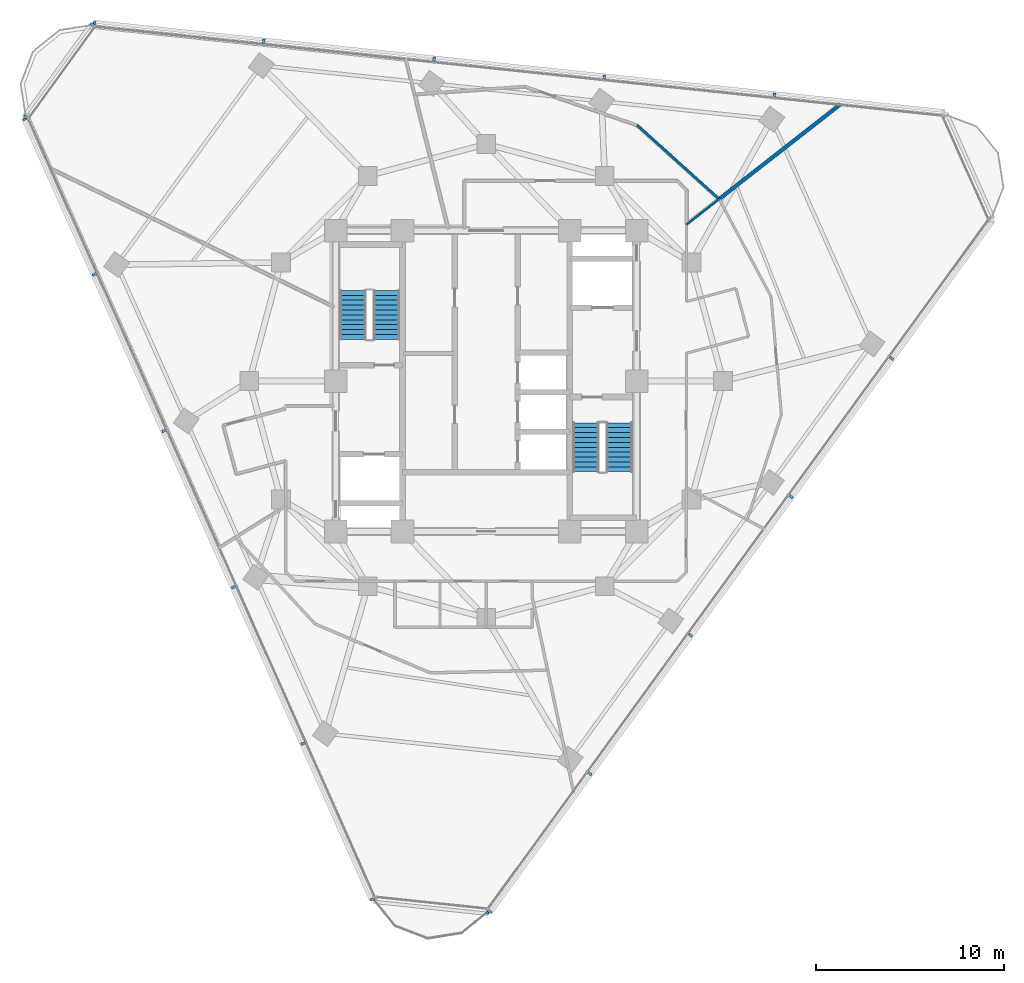
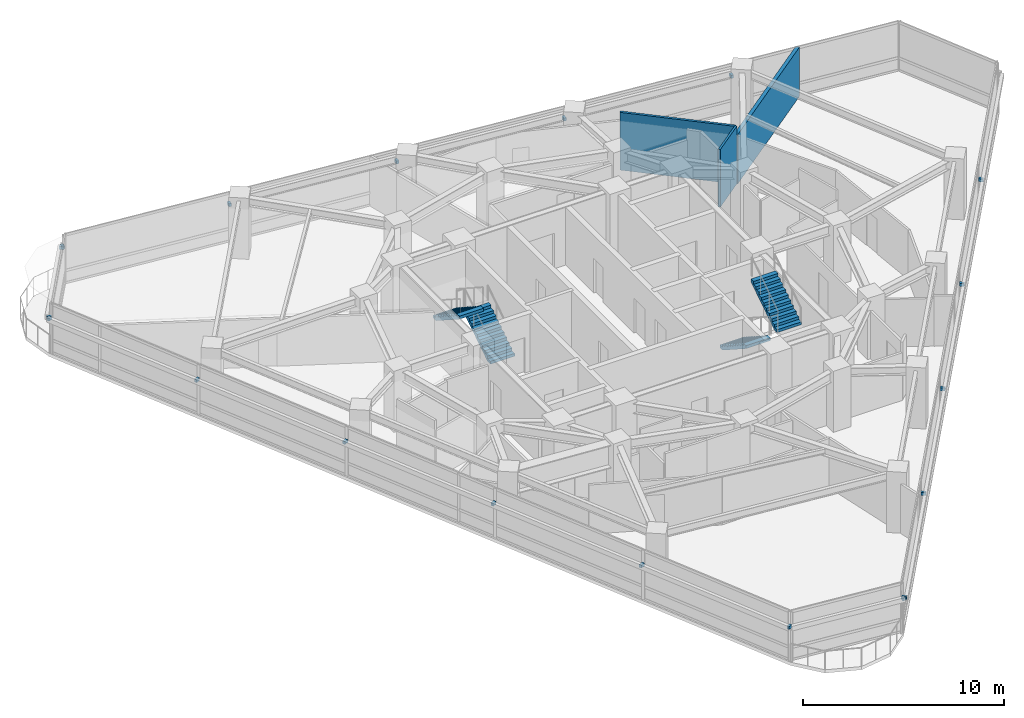
# One storey, part 10 of 14: 19 discrete accessories, 4 stair flights, 3 walls, 2 elements without a shape of their own.
"""IFC4 building model written with IfcOpenShell, lengths in metres."""

from ifc_helpers import new_model, si_unit, direction, frame, frame_2d, origin, origin_2d, place, context, subcontext, project, spatial, polyline, rectangle, outline, extrude, material, layer, layer_set, type_object, element, aggregate, save


model = new_model("IFC4")

# Units and contexts
model_context = context("Model", 3, precision=1e-05, world=origin(), true_north=direction((0.0, 1.0)))
body_context = subcontext(model_context, "Body", "Model", "MODEL_VIEW")
ifc_project = project(units=[si_unit("LENGTHUNIT", "METRE"), si_unit("AREAUNIT", "SQUARE_METRE"), si_unit("VOLUMEUNIT", "CUBIC_METRE"), si_unit("PLANEANGLEUNIT", "RADIAN"), si_unit("MASSUNIT", "GRAM", prefix="KILO")], contexts=[model_context])

# Site, building, storey
site_placement = place(None, origin())
site = spatial("IfcSite", under=ifc_project, at=site_placement, CompositionType="ELEMENT")
building_placement = place(site_placement, origin())
building = spatial("IfcBuilding", under=site, at=building_placement, Name="Terralouvre Media Tower", CompositionType="ELEMENT")
storey_placement = place(building_placement, frame((0.0, 0.0, 222.60009765625)))
storey = spatial("IfcBuildingStorey", under=building, at=storey_placement, Name="L57", CompositionType="ELEMENT", Elevation=222.60009765625)

# Walls
ifc_material_1 = material(Name="Fire-rated gypsum board drywall partition")
ifc_layer_1 = layer(ifc_material_1, 0.199951171875, Name="Fire-Rated Shaft and Lobby Partition FW-200")
ifc_layer_set_1 = layer_set([ifc_layer_1], Name="Fire-rated gypsum board drywall partition")
wall_type_1 = type_object("IfcWallType", Name="Fire-Rated Shaft and Lobby Partition FW-200", PredefinedType="SOLIDWALL", material=ifc_layer_set_1)
wall_1_placement = place(storey_placement, frame((18.836181640625, 14.71630859375, 0.0), z_axis=(0.0, 0.0, 1.0), x_axis=(-0.78799903942, -0.615676468507, 0.0)))
element("IfcWall", 1, at=wall_1_placement, inside=storey, type_object=wall_type_1, Name="L57 Interior Partition 046", PredefinedType="SOLIDWALL", context=body_context, shape_type="SweptSolid", body=[
    extrude(rectangle(XDim=8.181884765625, YDim=0.199951171875, at=frame_2d((4.0908203125, 0.0))), origin(), (0.0, 0.0, 1.0), 2.98486328125),
])
ifc_material_2 = material(Name="Fire-rated gypsum board drywall partition")
ifc_layer_2 = layer(ifc_material_2, 0.135009765625, Name="Newsroom Acoustic Partition PT-135")
ifc_layer_set_2 = layer_set([ifc_layer_2], Name="Fire-rated gypsum board drywall partition")
wall_type_2 = type_object("IfcWallType", Name="Newsroom Acoustic Partition PT-135", PredefinedType="PARTITIONING", material=ifc_layer_set_2)
wall_2_placement = place(storey_placement, frame((8.01904296875, 13.614013671875, 0.0), z_axis=(0.0, 0.0, 1.0), x_axis=(0.743110388877, -0.669168850099, 0.0)))
element("IfcWall", 2, at=wall_2_placement, inside=storey, type_object=wall_type_2, Name="L57 Interior Partition 049", PredefinedType="PARTITIONING", context=body_context, shape_type="SweptSolid", body=[
    extrude(rectangle(XDim=5.880615234375, YDim=0.135009765625, at=frame_2d((2.9404296875, 0.0))), origin(), (0.0, 0.0, 1.0), 3.5),
])
ifc_material_3 = material(Name="Fire-rated gypsum board drywall partition")
ifc_layer_3 = layer(ifc_material_3, 0.114990234375, Name="Restroom and Pantry Partition PT-115")
ifc_layer_set_3 = layer_set([ifc_layer_3], Name="Fire-rated gypsum board drywall partition")
wall_type_3 = type_object("IfcWallType", Name="Restroom and Pantry Partition PT-115", PredefinedType="PARTITIONING", material=ifc_layer_set_3)
wall_3_placement = place(storey_placement, frame((12.388916015625, 9.678955078125, 0.0), z_axis=(0.0, 0.0, 1.0), x_axis=(-0.788177008199, -0.615448619908, 0.0)))
element("IfcWall", 3, at=wall_3_placement, inside=storey, type_object=wall_type_3, Name="L57 Interior Partition 031", PredefinedType="PARTITIONING", context=body_context, shape_type="SweptSolid", body=[
    extrude(rectangle(XDim=2.206298828125, YDim=0.114990234375, at=frame_2d((1.10302734375, 0.0))), origin(), (0.0, 0.0, 1.0), 3.5),
])

# Stair, stair flights
ifc_material_4 = material(Name="Concrete C45/55", Category="concrete")
stair_type_1 = type_object("IfcStairType", Name="Dogleg Stair Assembly ST-01", PredefinedType="HALF_TURN_STAIR", material=ifc_material_4)
stair_1_placement = place(storey_placement, origin())
stair_1 = element("IfcStair", 4, at=stair_1_placement, inside=storey, type_object=stair_type_1, Name="L57 Core Pressurised Exit Stair ST-01", PredefinedType="HALF_TURN_STAIR")
ifc_material_5 = material(Name="Concrete C45/55", Category="concrete")
stair_flight_type = type_object("IfcStairFlightType", Name="Reinforced Concrete Stair Flight SF-RC1", PredefinedType="STRAIGHT", material=ifc_material_5)
stair_flight_1_placement = place(storey_placement, frame((-5.300048828125, 2.219970703125, 0.0), z_axis=(0.0, 0.0, 1.0), x_axis=(0.0, 1.0, 0.0)))
stair_flight_1 = element("IfcStairFlight", 5, at=stair_flight_1_placement, type_object=stair_flight_type, Name="ST-01 flight 1", NumberOfRisers=11, NumberOfTreads=10, PredefinedType="STRAIGHT", RiserHeight=0.168181818, TreadLength=0.26, context=body_context, shape_type="SweptSolid", body=[
    extrude(outline(polyline([(0.0, 0.0), (0.0, 0.168212890625), (0.260009765625, 0.168212890625), (0.260009765625, 0.33642578125), (0.52001953125, 0.33642578125), (0.52001953125, 0.504638671875), (0.780029296875, 0.504638671875), (0.780029296875, 0.672607421875), (1.0400390625, 0.672607421875), (1.0400390625, 0.8408203125), (1.300048828125, 0.8408203125), (1.300048828125, 1.009033203125), (1.56005859375, 1.009033203125), (1.56005859375, 1.17724609375), (1.820068359375, 1.17724609375), (1.820068359375, 1.345458984375), (2.080078125, 1.345458984375), (2.080078125, 1.513671875), (2.340087890625, 1.513671875), (2.340087890625, 1.681884765625), (2.60009765625, 1.681884765625), (2.60009765625, 1.85009765625), (2.60009765625, 1.503173828125), (0.27587890625, 0.0), (0.0, 0.0)])), frame((0.0, 0.699951171875, 0.0), z_axis=(0.0, -1.0, 0.0), x_axis=(1.0, 0.0, 0.0)), (0.0, 0.0, 1.0), 1.39990234375),
])
stair_flight_2_placement = place(storey_placement, frame((-7.080078125, 4.820068359375, 1.849853515625), z_axis=(0.0, 0.0, 1.0), x_axis=(0.0, -1.0, 0.0)))
stair_flight_2 = element("IfcStairFlight", 6, at=stair_flight_2_placement, type_object=stair_flight_type, Name="ST-01 flight 2", NumberOfRisers=11, NumberOfTreads=10, PredefinedType="STRAIGHT", RiserHeight=0.168181818, TreadLength=0.26, context=body_context, shape_type="SweptSolid", body=[
    extrude(outline(polyline([(0.0, 0.0), (0.0, 0.168212890625), (0.260009765625, 0.168212890625), (0.260009765625, 0.33642578125), (0.52001953125, 0.33642578125), (0.52001953125, 0.504638671875), (0.780029296875, 0.504638671875), (0.780029296875, 0.672607421875), (1.0400390625, 0.672607421875), (1.0400390625, 0.8408203125), (1.300048828125, 0.8408203125), (1.300048828125, 1.009033203125), (1.56005859375, 1.009033203125), (1.56005859375, 1.17724609375), (1.820068359375, 1.17724609375), (1.820068359375, 1.345458984375), (2.080078125, 1.345458984375), (2.080078125, 1.513671875), (2.340087890625, 1.513671875), (2.340087890625, 1.681884765625), (2.60009765625, 1.681884765625), (2.60009765625, 1.85009765625), (2.60009765625, 1.503173828125), (0.27587890625, 0.0), (0.0, 0.0)])), frame((0.0, 0.699951171875, 0.0), z_axis=(0.0, -1.0, 0.0), x_axis=(1.0, 0.0, 0.0)), (0.0, 0.0, 1.0), 1.39990234375),
])
aggregate(stair_1, [stair_flight_1, stair_flight_2])

ifc_material_6 = material(Name="Concrete C45/55", Category="concrete")
stair_type_2 = type_object("IfcStairType", Name="Dogleg Stair Assembly ST-02", PredefinedType="HALF_TURN_STAIR", material=ifc_material_6)
stair_2_placement = place(storey_placement, origin())
stair_2 = element("IfcStair", 7, at=stair_2_placement, inside=storey, type_object=stair_type_2, Name="L57 Core Pressurised Exit Stair ST-02", PredefinedType="HALF_TURN_STAIR")
stair_flight_3_placement = place(storey_placement, frame((5.300048828125, -2.219970703125, 0.0), z_axis=(0.0, 0.0, 1.0), x_axis=(0.0, -1.0, 0.0)))
stair_flight_3 = element("IfcStairFlight", 8, at=stair_flight_3_placement, type_object=stair_flight_type, Name="ST-02 flight 1", NumberOfRisers=11, NumberOfTreads=10, PredefinedType="STRAIGHT", RiserHeight=0.168181818, TreadLength=0.26, context=body_context, shape_type="SweptSolid", body=[
    extrude(outline(polyline([(0.0, 0.0), (0.0, 0.168212890625), (0.260009765625, 0.168212890625), (0.260009765625, 0.33642578125), (0.52001953125, 0.33642578125), (0.52001953125, 0.504638671875), (0.780029296875, 0.504638671875), (0.780029296875, 0.672607421875), (1.0400390625, 0.672607421875), (1.0400390625, 0.8408203125), (1.300048828125, 0.8408203125), (1.300048828125, 1.009033203125), (1.56005859375, 1.009033203125), (1.56005859375, 1.17724609375), (1.820068359375, 1.17724609375), (1.820068359375, 1.345458984375), (2.080078125, 1.345458984375), (2.080078125, 1.513671875), (2.340087890625, 1.513671875), (2.340087890625, 1.681884765625), (2.60009765625, 1.681884765625), (2.60009765625, 1.85009765625), (2.60009765625, 1.503173828125), (0.27587890625, 0.0), (0.0, 0.0)])), frame((0.0, 0.699951171875, 0.0), z_axis=(0.0, -1.0, 0.0), x_axis=(1.0, 0.0, 0.0)), (0.0, 0.0, 1.0), 1.39990234375),
])
stair_flight_4_placement = place(storey_placement, frame((7.080078125, -4.820068359375, 1.849853515625), z_axis=(0.0, 0.0, 1.0), x_axis=(0.0, 1.0, 0.0)))
stair_flight_4 = element("IfcStairFlight", 9, at=stair_flight_4_placement, type_object=stair_flight_type, Name="ST-02 flight 2", NumberOfRisers=11, NumberOfTreads=10, PredefinedType="STRAIGHT", RiserHeight=0.168181818, TreadLength=0.26, context=body_context, shape_type="SweptSolid", body=[
    extrude(outline(polyline([(0.0, 0.0), (0.0, 0.168212890625), (0.260009765625, 0.168212890625), (0.260009765625, 0.33642578125), (0.52001953125, 0.33642578125), (0.52001953125, 0.504638671875), (0.780029296875, 0.504638671875), (0.780029296875, 0.672607421875), (1.0400390625, 0.672607421875), (1.0400390625, 0.8408203125), (1.300048828125, 0.8408203125), (1.300048828125, 1.009033203125), (1.56005859375, 1.009033203125), (1.56005859375, 1.17724609375), (1.820068359375, 1.17724609375), (1.820068359375, 1.345458984375), (2.080078125, 1.345458984375), (2.080078125, 1.513671875), (2.340087890625, 1.513671875), (2.340087890625, 1.681884765625), (2.60009765625, 1.681884765625), (2.60009765625, 1.85009765625), (2.60009765625, 1.503173828125), (0.27587890625, 0.0), (0.0, 0.0)])), frame((0.0, 0.699951171875, 0.0), z_axis=(0.0, -1.0, 0.0), x_axis=(1.0, 0.0, 0.0)), (0.0, 0.0, 1.0), 1.39990234375),
])
aggregate(stair_2, [stair_flight_3, stair_flight_4])

# Discrete accessories
ifc_material_7 = material(Name="Anodised extruded aluminium 6063-T6", Category="aluminium")
discrete_accessory_type = type_object("IfcDiscreteAccessoryType", Name="Mullion Stand-Off Baguette Fixing Bracket BK-01", PredefinedType="BRACKET", material=ifc_material_7)
for number, where, z_axis, x_axis, name in (
    (10, (0.180419921875, -28.205322265625, 2.07373046875), (0.0, 0.0, 1.0), (0.587785300879, 0.809016959074, 0.0), "CW-L57-F0 Baguette Outrigger Bracket 1.01"),
    (11, (5.50732421875, -20.87353515625, 2.07373046875), (0.0, 0.0, 1.0), (0.587785300879, 0.809016959074, 0.0), "CW-L57-F0 Baguette Outrigger Bracket 1.02"),
    (12, (10.856201171875, -13.511474609375, 2.07373046875), (0.0, 0.0, 1.0), (0.587785300879, 0.809016959074, 0.0), "CW-L57-F0 Baguette Outrigger Bracket 1.03"),
    (13, (16.205078125, -6.1494140625, 2.07373046875), (0.0, 0.0, 1.0), (0.587785300879, 0.809016959074, 0.0), "CW-L57-F0 Baguette Outrigger Bracket 1.04"),
    (14, (21.553955078125, 1.212646484375, 2.07373046875), (0.0, 0.0, 1.0), (0.587785300879, 0.809016959074, 0.0), "CW-L57-F0 Baguette Outrigger Bracket 1.05"),
    (15, (15.323486328125, 15.206298828125, 2.07373046875), (0.0, 0.0, 1.0), (-0.994521885028, 0.104528561651, 0.0), "CW-L57-F1 Baguette Outrigger Bracket 1.02"),
    (16, (6.273193359375, 16.157470703125, 2.07373046875), (0.0, 0.0, 1.0), (-0.994521885028, 0.104528561651, 0.0), "CW-L57-F1 Baguette Outrigger Bracket 1.03"),
    (17, (-2.77685546875, 17.108642578125, 2.07373046875), (0.0, 0.0, 1.0), (-0.994521885028, 0.104528561651, 0.0), "CW-L57-F1 Baguette Outrigger Bracket 1.04"),
    (18, (-11.826904296875, 18.059814453125, 2.07373046875), (0.0, 0.0, 1.0), (-0.994521885028, 0.104528561651, 0.0), "CW-L57-F1 Baguette Outrigger Bracket 1.05"),
    (19, (-20.83984375, 19.007080078125, 2.07373046875), (0.0, 0.0, 1.0), (-0.994521885028, 0.104528561651, 0.0), "CW-L57-F1 Baguette Outrigger Bracket 1.06"),
    (20, (-24.516845703125, 13.9462890625, 2.07373046875), (0.0, 0.0, 1.0), (0.406736679636, -0.913545441365, 0.0), "CW-L57-F2 Baguette Outrigger Bracket 1.01"),
    (21, (-20.830810546875, 5.667236328125, 2.07373046875), (0.0, 0.0, 1.0), (0.406736679636, -0.913545441365, 0.0), "CW-L57-F2 Baguette Outrigger Bracket 1.02"),
    (22, (-17.12939453125, -2.64599609375, 2.07373046875), (0.0, 0.0, 1.0), (0.406736679636, -0.913545441365, 0.0), "CW-L57-F2 Baguette Outrigger Bracket 1.03"),
    (23, (-13.42822265625, -10.959228515625, 2.07373046875), (0.0, 0.0, 1.0), (0.406736679636, -0.913545441365, 0.0), "CW-L57-F2 Baguette Outrigger Bracket 1.04"),
    (24, (-9.726806640625, -19.2724609375, 2.07373046875), (0.0, 0.0, 1.0), (0.406736679636, -0.913545441365, 0.0), "CW-L57-F2 Baguette Outrigger Bracket 1.05"),
    (25, (-6.040771484375, -27.551513671875, 2.07373046875), (0.0, 0.0, 1.0), (0.406736679636, -0.913545441365, 0.0), "CW-L57-F2 Baguette Outrigger Bracket 1.06"),
    (26, (0.086669921875, -28.22802734375, 2.07373046875), (0.0, 0.0, 1.0), (0.994521944551, -0.104527995322, 0.0), "CW-L57-C0 Baguette Outrigger Bracket 1.02"),
    (27, (-20.919677734375, 18.952880859375, 2.07373046875), (0.0, 0.0, 1.0), (-0.58778588998, -0.809016531067, 0.0), "CW-L57-C2 Baguette Outrigger Bracket 1.01"),
    (28, (-24.48974609375, 14.0390625, 2.07373046875), (0.0, 0.0, 1.0), (-0.58778588998, -0.809016531067, 0.0), "CW-L57-C2 Baguette Outrigger Bracket 1.02"),
):
    element("IfcDiscreteAccessory", number, at=place(storey_placement, frame(where, z_axis=z_axis, x_axis=x_axis)), inside=storey, type_object=discrete_accessory_type, Name=name, PredefinedType="BRACKET", context=body_context, shape_type="SweptSolid", body=[
        extrude(rectangle(XDim=0.139892578125, YDim=0.239990234375, at=origin_2d()), origin(), (0.0, 0.0, 1.0), 0.179931640625),
    ])

save(model, "model.ifc")
